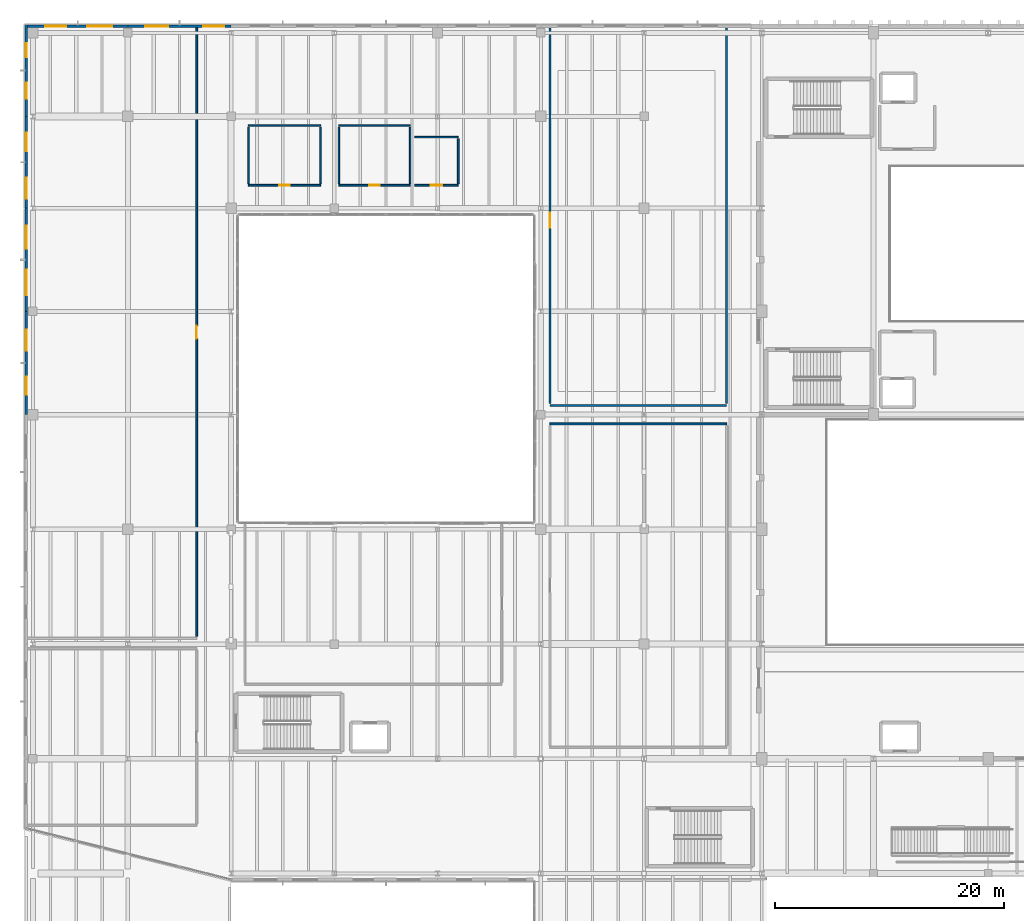
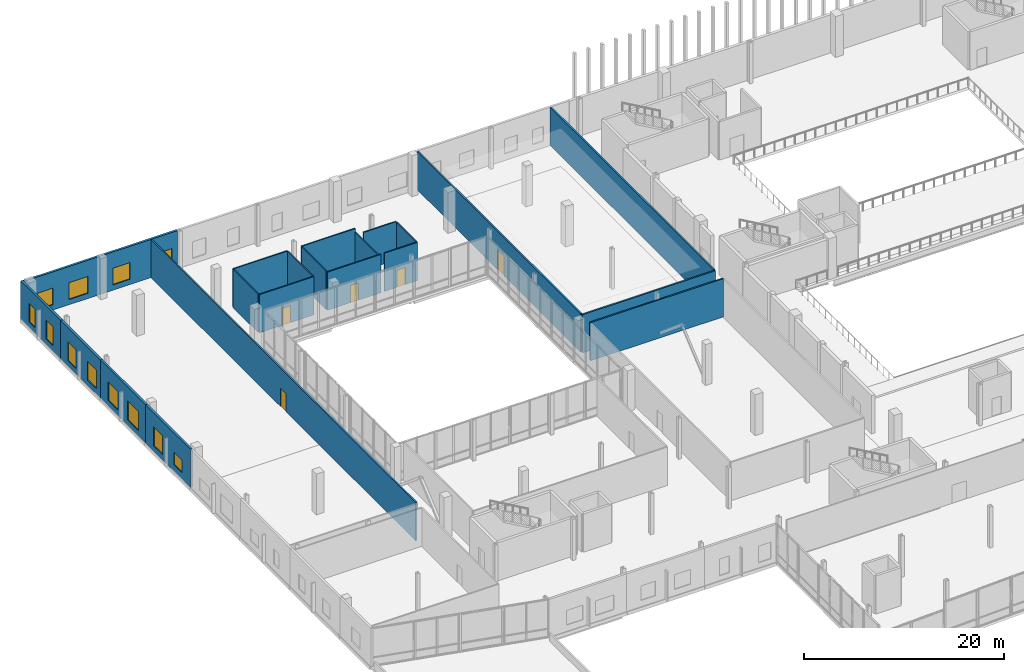
# One storey, part 61 of 81: 22 walls, 12 windows, 5 doors, 17 openings.
"""IFC4 building model written with IfcOpenShell, lengths in metres."""

from ifc_helpers import new_model, si_unit, direction, frame, frame_2d, origin, place, context, subcontext, project, spatial, rectangle, extrude, material, layer, layer_set, type_object, element, fill, save


model = new_model("IFC4")

# Units and contexts
model_context = context("Model", 3, precision=1e-05, world=origin(), true_north=direction((0.0, 1.0)))
body_context = subcontext(model_context, "Body", "Model", "MODEL_VIEW")
ifc_project = project(units=[si_unit("LENGTHUNIT", "METRE"), si_unit("AREAUNIT", "SQUARE_METRE"), si_unit("VOLUMEUNIT", "CUBIC_METRE"), si_unit("PLANEANGLEUNIT", "RADIAN"), si_unit("MASSUNIT", "GRAM", prefix="KILO")], contexts=[model_context])

# Site, building, storey
site_placement = place(None, origin())
site = spatial("IfcSite", under=ifc_project, at=site_placement, CompositionType="ELEMENT")
building_placement = place(site_placement, origin())
building = spatial("IfcBuilding", under=site, at=building_placement, Name="Trimount Lyric Opera House", CompositionType="ELEMENT")
storey_placement = place(building_placement, frame((0.0, 0.0, 5.0)))
storey = spatial("IfcBuildingStorey", under=building, at=storey_placement, Name="L01", CompositionType="ELEMENT", Elevation=5.0)

# Wall, opening, door
ifc_material_1 = material(Name="Moisture-Resistant Gypsum Board")
ifc_layer_1 = layer(ifc_material_1, 0.135009765625)
ifc_layer_set_1 = layer_set([ifc_layer_1], Name="WL-PT135")
wall_type_1 = type_object("IfcWallType", Name="WL-PT135", PredefinedType="PARTITIONING", material=ifc_layer_set_1)
wall_1_placement = place(storey_placement, frame((19.5, 104.0, 0.0), z_axis=(0.0, 0.0, 1.0), x_axis=(1.0, 0.0, 0.0)))
wall_1 = element("IfcWall", 1, at=wall_1_placement, inside=storey, type_object=wall_type_1, Name="L01 L01 Male Restroom S partition", PredefinedType="PARTITIONING", context=body_context, shape_type="SweptSolid", body=[
    extrude(rectangle(XDim=6.300048828125, YDim=0.135009765625, at=frame_2d((3.14990234375, 0.0))), origin(), (0.0, 0.0, 1.0), 4.679931640625),
])
opening_1_placement = place(wall_1_placement, frame((2.68994140625, 0.0, 0.0)))
opening_1 = element("IfcOpeningElement", 2, at=opening_1_placement, cuts=wall_1, Name="Opening DT-WC1", PredefinedType="OPENING", context=body_context, shape_type="SweptSolid", body=[
    extrude(rectangle(XDim=0.919921875, YDim=2.10009765625, at=frame_2d((0.4599609375, 1.050048828125))), frame((0.0, 0.07763671875, 0.0), z_axis=(0.0, -1.0, 0.0), x_axis=(1.0, 0.0, 0.0)), (0.0, 0.0, 1.0), 0.155029296875),
])
ifc_material_2 = material(Name="Moisture-Resistant Solid-Core Laminate")
door_type_1 = type_object("IfcDoorType", Name="DT-WC1", OperationType="NOTDEFINED", PredefinedType="DOOR", material=ifc_material_2)
door_1_placement = place(opening_1_placement, origin())
door_1 = element("IfcDoor", 3, at=door_1_placement, inside=storey, type_object=door_type_1, Name="D-207", OperationType="SINGLE_SWING_LEFT", OverallHeight=2.10009765625, OverallWidth=0.919921875, PredefinedType="DOOR", context=body_context, shape_type="SweptSolid", body=[
    extrude(rectangle(XDim=0.919921875, YDim=2.10009765625, at=frame_2d((0.4599609375, 1.050048828125))), frame((0.0, 0.02490234375, 0.0), z_axis=(0.0, -1.0, 0.0), x_axis=(1.0, 0.0, 0.0)), (0.0, 0.0, 1.0), 0.050048828125),
])
fill(opening_1, door_1)

# Walls
wall_2_placement = place(storey_placement, frame((25.800048828125, 109.199951171875, 0.0), z_axis=(0.0, 0.0, 1.0), x_axis=(-1.0, 0.0, 0.0)))
element("IfcWall", 4, at=wall_2_placement, inside=storey, type_object=wall_type_1, Name="L01 L01 Male Restroom N partition", PredefinedType="PARTITIONING", context=body_context, shape_type="SweptSolid", body=[
    extrude(rectangle(XDim=6.300048828125, YDim=0.135009765625, at=frame_2d((3.14990234375, 0.0))), origin(), (0.0, 0.0, 1.0), 4.679931640625),
])
for number, where, z_axis, x_axis, name in (
    (5, (19.5, 109.06494140625, 0.0), (0.0, 0.0, 1.0), (0.0, -1.0, 0.0), "L01 L01 Male Restroom W partition"),
    (6, (25.800048828125, 104.135009765625, 0.0), (0.0, 0.0, 1.0), (0.0, 1.0, 0.0), "L01 L01 Male Restroom E partition"),
):
    element("IfcWall", number, at=place(storey_placement, frame(where, z_axis=z_axis, x_axis=x_axis)), inside=storey, type_object=wall_type_1, Name=name, PredefinedType="PARTITIONING", context=body_context, shape_type="SweptSolid", body=[
        extrude(rectangle(XDim=4.929931640625, YDim=0.135009765625, at=frame_2d((2.46484375, 0.0))), origin(), (0.0, 0.0, 1.0), 4.679931640625),
    ])

# Wall, opening, door
wall_3_placement = place(storey_placement, frame((27.39990234375, 104.0, 0.0), z_axis=(0.0, 0.0, 1.0), x_axis=(1.0, 0.0, 0.0)))
wall_3 = element("IfcWall", 7, at=wall_3_placement, inside=storey, type_object=wall_type_1, Name="L01 L01 Female Restroom S partition", PredefinedType="PARTITIONING", context=body_context, shape_type="SweptSolid", body=[
    extrude(rectangle(XDim=6.2001953125, YDim=0.135009765625, at=frame_2d((3.10009765625, 0.0))), origin(), (0.0, 0.0, 1.0), 4.679931640625),
])
opening_2_placement = place(wall_3_placement, frame((2.639892578125, 0.0, 0.0)))
opening_2 = element("IfcOpeningElement", 8, at=opening_2_placement, cuts=wall_3, Name="Opening DT-WC1", PredefinedType="OPENING", context=body_context, shape_type="SweptSolid", body=[
    extrude(rectangle(XDim=0.919921875, YDim=2.10009765625, at=frame_2d((0.4599609375, 1.050048828125))), frame((0.0, 0.07763671875, 0.0), z_axis=(0.0, -1.0, 0.0), x_axis=(1.0, 0.0, 0.0)), (0.0, 0.0, 1.0), 0.155029296875),
])
door_2_placement = place(opening_2_placement, origin())
door_2 = element("IfcDoor", 9, at=door_2_placement, inside=storey, type_object=door_type_1, Name="D-208", OperationType="SINGLE_SWING_RIGHT", OverallHeight=2.10009765625, OverallWidth=0.919921875, PredefinedType="DOOR", context=body_context, shape_type="SweptSolid", body=[
    extrude(rectangle(XDim=0.919921875, YDim=2.10009765625, at=frame_2d((0.4599609375, 1.050048828125))), frame((0.0, 0.02490234375, 0.0), z_axis=(0.0, -1.0, 0.0), x_axis=(1.0, 0.0, 0.0)), (0.0, 0.0, 1.0), 0.050048828125),
])
fill(opening_2, door_2)

# Walls
wall_4_placement = place(storey_placement, frame((33.60009765625, 109.199951171875, 0.0), z_axis=(0.0, 0.0, 1.0), x_axis=(-1.0, 0.0, 0.0)))
element("IfcWall", 10, at=wall_4_placement, inside=storey, type_object=wall_type_1, Name="L01 L01 Female Restroom N partition", PredefinedType="PARTITIONING", context=body_context, shape_type="SweptSolid", body=[
    extrude(rectangle(XDim=6.2001953125, YDim=0.135009765625, at=frame_2d((3.10009765625, 0.0))), origin(), (0.0, 0.0, 1.0), 4.679931640625),
])
wall_5_placement = place(storey_placement, frame((27.39990234375, 109.06494140625, 0.0), z_axis=(0.0, 0.0, 1.0), x_axis=(0.0, -1.0, 0.0)))
element("IfcWall", 11, at=wall_5_placement, inside=storey, type_object=wall_type_1, Name="L01 L01 Female Restroom W partition", PredefinedType="PARTITIONING", context=body_context, shape_type="SweptSolid", body=[
    extrude(rectangle(XDim=4.929931640625, YDim=0.135009765625, at=frame_2d((2.46484375, 0.0))), origin(), (0.0, 0.0, 1.0), 4.679931640625),
])
wall_6_placement = place(storey_placement, frame((33.60009765625, 104.135009765625, 0.0), z_axis=(0.0, 0.0, 1.0), x_axis=(0.0, 1.0, 0.0)))
element("IfcWall", 12, at=wall_6_placement, inside=storey, type_object=wall_type_1, Name="L01 L01 Female Restroom E partition", PredefinedType="PARTITIONING", context=body_context, shape_type="SweptSolid", body=[
    extrude(rectangle(XDim=4.929931640625, YDim=0.135009765625, at=frame_2d((2.46484375, 0.0))), origin(), (0.0, 0.0, 1.0), 4.305908203125),
])

# Wall, opening, door
wall_7_placement = place(storey_placement, frame((34.0, 104.0, 0.0), z_axis=(0.0, 0.0, 1.0), x_axis=(1.0, 0.0, 0.0)))
wall_7 = element("IfcWall", 13, at=wall_7_placement, inside=storey, type_object=wall_type_1, Name="L01 L01 Accessible WC S partition", PredefinedType="PARTITIONING", context=body_context, shape_type="SweptSolid", body=[
    extrude(rectangle(XDim=3.800048828125, YDim=0.135009765625, at=frame_2d((1.89990234375, 0.0))), origin(), (0.0, 0.0, 1.0), 4.679931640625),
])
opening_3_placement = place(wall_7_placement, frame((1.409912109375, 0.0, 0.0)))
opening_3 = element("IfcOpeningElement", 14, at=opening_3_placement, cuts=wall_7, Name="Opening DT-WC2", PredefinedType="OPENING", context=body_context, shape_type="SweptSolid", body=[
    extrude(rectangle(XDim=0.97998046875, YDim=2.10009765625, at=frame_2d((0.489990234375, 1.050048828125))), frame((0.0, 0.07763671875, 0.0), z_axis=(0.0, -1.0, 0.0), x_axis=(1.0, 0.0, 0.0)), (0.0, 0.0, 1.0), 0.155029296875),
])
ifc_material_3 = material(Name="Moisture-Resistant Solid-Core Laminate")
door_type_2 = type_object("IfcDoorType", Name="DT-WC2", OperationType="NOTDEFINED", PredefinedType="DOOR", material=ifc_material_3)
door_3_placement = place(opening_3_placement, origin())
door_3 = element("IfcDoor", 15, at=door_3_placement, inside=storey, type_object=door_type_2, Name="D-209", OperationType="SINGLE_SWING_LEFT", OverallHeight=2.10009765625, OverallWidth=0.97998046875, PredefinedType="DOOR", context=body_context, shape_type="SweptSolid", body=[
    extrude(rectangle(XDim=0.97998046875, YDim=2.10009765625, at=frame_2d((0.489990234375, 1.050048828125))), frame((0.0, 0.02490234375, 0.0), z_axis=(0.0, -1.0, 0.0), x_axis=(1.0, 0.0, 0.0)), (0.0, 0.0, 1.0), 0.050048828125),
])
fill(opening_3, door_3)

# Walls
wall_8_placement = place(storey_placement, frame((37.800048828125, 108.199951171875, 0.0), z_axis=(0.0, 0.0, 1.0), x_axis=(-1.0, 0.0, 0.0)))
element("IfcWall", 16, at=wall_8_placement, inside=storey, type_object=wall_type_1, Name="L01 L01 Accessible WC N partition", PredefinedType="PARTITIONING", context=body_context, shape_type="SweptSolid", body=[
    extrude(rectangle(XDim=3.800048828125, YDim=0.135009765625, at=frame_2d((1.89990234375, 0.0))), origin(), (0.0, 0.0, 1.0), 4.679931640625),
])
wall_9_placement = place(storey_placement, frame((37.800048828125, 104.135009765625, 0.0), z_axis=(0.0, 0.0, 1.0), x_axis=(0.0, 1.0, 0.0)))
element("IfcWall", 17, at=wall_9_placement, inside=storey, type_object=wall_type_1, Name="L01 L01 Accessible WC E partition", PredefinedType="PARTITIONING", context=body_context, shape_type="SweptSolid", body=[
    extrude(rectangle(XDim=3.929931640625, YDim=0.135009765625, at=frame_2d((1.96484375, 0.0))), origin(), (0.0, 0.0, 1.0), 4.679931640625),
])

# Wall, opening, door
ifc_material_4 = material(Name="Acoustic Double-Stud Gypsum Board")
ifc_layer_2 = layer(ifc_material_4, 0.1650390625)
ifc_layer_set_2 = layer_set([ifc_layer_2], Name="WL-PT165")
wall_type_2 = type_object("IfcWallType", Name="WL-PT165", PredefinedType="PARTITIONING", material=ifc_layer_set_2)
wall_10_placement = place(storey_placement, frame((15.0, 64.6650390625, 0.0), z_axis=(0.0, 0.0, 1.0), x_axis=(0.0, 1.0, 0.0)))
wall_10 = element("IfcWall", 18, at=wall_10_placement, inside=storey, type_object=wall_type_2, Name="L01 Vocal & Repetiteur Studios E partition", PredefinedType="PARTITIONING", context=body_context, shape_type="SweptSolid", body=[
    extrude(rectangle(XDim=53.054931640625, YDim=0.1650390625, at=frame_2d((26.52734375, 0.0))), origin(), (0.0, 0.0, 1.0), 4.679931640625),
])
opening_4_placement = place(wall_10_placement, frame((25.967529296875, 0.0, 0.0)))
opening_4 = element("IfcOpeningElement", 19, at=opening_4_placement, cuts=wall_10, Name="Opening DT-AC2", PredefinedType="OPENING", context=body_context, shape_type="SweptSolid", body=[
    extrude(rectangle(XDim=1.1201171875, YDim=2.25, at=frame_2d((0.56005859375, 1.125))), frame((0.0, 0.092529296875, 0.0), z_axis=(0.0, -1.0, 0.0), x_axis=(1.0, 0.0, 0.0)), (0.0, 0.0, 1.0), 0.18505859375),
])
ifc_material_5 = material(Name="Acoustic Steel-Core Timber", Category="steel")
door_type_3 = type_object("IfcDoorType", Name="DT-AC2", OperationType="NOTDEFINED", PredefinedType="DOOR", material=ifc_material_5)
door_4_placement = place(opening_4_placement, origin())
door_4 = element("IfcDoor", 20, at=door_4_placement, inside=storey, type_object=door_type_3, Name="D-197", OperationType="SINGLE_SWING_RIGHT", OverallHeight=2.25, OverallWidth=1.1201171875, PredefinedType="DOOR", context=body_context, shape_type="SweptSolid", body=[
    extrude(rectangle(XDim=1.1201171875, YDim=2.25, at=frame_2d((0.56005859375, 1.125))), frame((0.0, 0.02490234375, 0.0), z_axis=(0.0, -1.0, 0.0), x_axis=(1.0, 0.0, 0.0)), (0.0, 0.0, 1.0), 0.050048828125),
])
fill(opening_4, door_4)

# Walls
wall_11_placement = place(storey_placement, frame((61.199951171875, 83.199951171875, 0.0), z_axis=(0.0, 0.0, 1.0), x_axis=(-1.0, 0.0, 0.0)))
element("IfcWall", 21, at=wall_11_placement, inside=storey, type_object=wall_type_2, Name="L01 Chorus Sectional Rehearsal Studio N partition", PredefinedType="PARTITIONING", context=body_context, shape_type="SweptSolid", body=[
    extrude(rectangle(XDim=15.39990234375, YDim=0.1650390625, at=frame_2d((7.699951171875, 0.0))), origin(), (0.0, 0.0, 1.0), 4.679931640625),
])
ifc_material_6 = material(Name="Acoustic Double-Stud Gypsum Board")
ifc_layer_3 = layer(ifc_material_6, 0.179931640625)
ifc_layer_set_3 = layer_set([ifc_layer_3], Name="WL-PT180")
wall_type_3 = type_object("IfcWallType", Name="WL-PT180", PredefinedType="PARTITIONING", material=ifc_layer_set_3)
wall_12_placement = place(storey_placement, frame((45.800048828125, 84.800048828125, 0.0), z_axis=(0.0, 0.0, 1.0), x_axis=(1.0, 0.0, 0.0)))
element("IfcWall", 22, at=wall_12_placement, inside=storey, type_object=wall_type_3, Name="L01 Ballet Rehearsal Studio S partition", PredefinedType="PARTITIONING", context=body_context, shape_type="SweptSolid", body=[
    extrude(rectangle(XDim=15.39990234375, YDim=0.179931640625, at=frame_2d((7.699951171875, 0.0))), origin(), (0.0, 0.0, 1.0), 4.679931640625),
])

# Wall, opening, door
wall_13_placement = place(storey_placement, frame((45.800048828125, 117.719970703125, 0.0), z_axis=(0.0, 0.0, 1.0), x_axis=(0.0, -1.0, 0.0)))
wall_13 = element("IfcWall", 23, at=wall_13_placement, inside=storey, type_object=wall_type_3, Name="L01 Ballet Rehearsal Studio W partition", PredefinedType="PARTITIONING", context=body_context, shape_type="SweptSolid", body=[
    extrude(rectangle(XDim=32.739990234375, YDim=0.179931640625, at=frame_2d((16.3701171875, 0.0))), origin(), (0.0, 0.0, 1.0), 4.679931640625),
])
opening_5_placement = place(wall_13_placement, frame((16.1201171875, 0.0, 0.0)))
opening_5 = element("IfcOpeningElement", 24, at=opening_5_placement, cuts=wall_13, Name="Opening DT-AC1", PredefinedType="OPENING", context=body_context, shape_type="SweptSolid", body=[
    extrude(rectangle(XDim=1.300048828125, YDim=2.35009765625, at=frame_2d((0.64990234375, 1.175048828125))), frame((0.0, 0.10009765625, 0.0), z_axis=(0.0, -1.0, 0.0), x_axis=(1.0, 0.0, 0.0)), (0.0, 0.0, 1.0), 0.199951171875),
])
ifc_material_7 = material(Name="Acoustic Steel-Core Timber", Category="steel")
door_type_4 = type_object("IfcDoorType", Name="DT-AC1", OperationType="NOTDEFINED", PredefinedType="DOOR", material=ifc_material_7)
door_5_placement = place(opening_5_placement, origin())
door_5 = element("IfcDoor", 25, at=door_5_placement, inside=storey, type_object=door_type_4, Name="D-201", OperationType="SINGLE_SWING_RIGHT", OverallHeight=2.35009765625, OverallWidth=1.300048828125, PredefinedType="DOOR", context=body_context, shape_type="SweptSolid", body=[
    extrude(rectangle(XDim=1.300048828125, YDim=2.35009765625, at=frame_2d((0.64990234375, 1.175048828125))), frame((0.0, 0.02490234375, 0.0), z_axis=(0.0, -1.0, 0.0), x_axis=(1.0, 0.0, 0.0)), (0.0, 0.0, 1.0), 0.050048828125),
])
fill(opening_5, door_5)

# Wall
wall_14_placement = place(storey_placement, frame((61.199951171875, 84.97998046875, 0.0), z_axis=(0.0, 0.0, 1.0), x_axis=(0.0, 1.0, 0.0)))
element("IfcWall", 26, at=wall_14_placement, inside=storey, type_object=wall_type_3, Name="L01 Ballet Rehearsal Studio E partition", PredefinedType="PARTITIONING", context=body_context, shape_type="SweptSolid", body=[
    extrude(rectangle(XDim=32.739990234375, YDim=0.179931640625, at=frame_2d((16.3701171875, 0.0))), origin(), (0.0, 0.0, 1.0), 4.679931640625),
])

# Wall, openings, windows
ifc_material_8 = material(Name="Concrete C35/45", Category="concrete")
ifc_layer_4 = layer(ifc_material_8, 0.25)
ifc_layer_set_4 = layer_set([ifc_layer_4], Name="WL-SW250")
wall_type_4 = type_object("IfcWallType", Name="WL-SW250", PredefinedType="SOLIDWALL", material=ifc_layer_set_4)
wall_15_placement = place(storey_placement, frame((0.139892578125, 84.0, 0.0), z_axis=(0.0, 0.0, 1.0), x_axis=(0.0, 1.0, 0.0)))
wall_15 = element("IfcWall", 27, at=wall_15_placement, inside=storey, type_object=wall_type_4, Name="L01 exterior facade wall 161", PredefinedType="SOLIDWALL", context=body_context, shape_type="SweptSolid", body=[
    extrude(rectangle(XDim=9.0, YDim=0.25, at=frame_2d((4.5, 0.0))), origin(), (0.0, 0.0, 1.0), 4.679931640625),
])
opening_6_placement = place(wall_15_placement, frame((1.719970703125, 0.0, 0.800048828125)))
opening_6 = element("IfcOpeningElement", 28, at=opening_6_placement, cuts=wall_15, Name="Opening WT-26", PredefinedType="OPENING", context=body_context, shape_type="SweptSolid", body=[
    extrude(rectangle(XDim=1.60009765625, YDim=1.5, at=frame_2d((0.800048828125, 0.75))), frame((0.0, 0.135009765625, 0.0), z_axis=(0.0, -1.0, 0.0), x_axis=(1.0, 0.0, 0.0)), (0.0, 0.0, 1.0), 0.27001953125),
])
opening_7_placement = place(wall_15_placement, frame((5.580078125, 0.0, 0.64990234375)))
opening_7 = element("IfcOpeningElement", 29, at=opening_7_placement, cuts=wall_15, Name="Opening WT-04", PredefinedType="OPENING", context=body_context, shape_type="SweptSolid", body=[
    extrude(rectangle(XDim=1.800048828125, YDim=2.300048828125, at=frame_2d((0.89990234375, 1.14990234375))), frame((0.0, 0.135009765625, 0.0), z_axis=(0.0, -1.0, 0.0), x_axis=(1.0, 0.0, 0.0)), (0.0, 0.0, 1.0), 0.27001953125),
])
ifc_material_9 = material(Name="Triple Acoustic Glazing in Aluminium Frame", Category="aluminium")
window_type_1 = type_object("IfcWindowType", Name="WT-04", PartitioningType="DOUBLE_PANEL_VERTICAL", PredefinedType="WINDOW", material=ifc_material_9)
window_1_placement = place(opening_7_placement, origin())
window_1 = element("IfcWindow", 30, at=window_1_placement, inside=storey, type_object=window_type_1, Name="Window WT-04-0079", OverallHeight=2.300048828125, OverallWidth=1.800048828125, PartitioningType="SINGLE_PANEL", PredefinedType="WINDOW", context=body_context, shape_type="SweptSolid", body=[
    extrude(rectangle(XDim=1.800048828125, YDim=2.300048828125, at=frame_2d((0.89990234375, 1.14990234375))), frame((0.0, 0.030029296875, 0.0), z_axis=(0.0, -1.0, 0.0), x_axis=(1.0, 0.0, 0.0)), (0.0, 0.0, 1.0), 0.06005859375),
])
fill(opening_7, window_1)
ifc_material_10 = material(Name="Clerestory Ribbon Glazing", Category="glass")
window_type_2 = type_object("IfcWindowType", Name="WT-26", PartitioningType="SINGLE_PANEL", PredefinedType="WINDOW", material=ifc_material_10)
window_2_placement = place(opening_6_placement, origin())
window_2 = element("IfcWindow", 31, at=window_2_placement, inside=storey, type_object=window_type_2, Name="Window WT-26-0078", OverallHeight=1.5, OverallWidth=1.60009765625, PartitioningType="SINGLE_PANEL", PredefinedType="WINDOW", context=body_context, shape_type="SweptSolid", body=[
    extrude(rectangle(XDim=1.60009765625, YDim=1.5, at=frame_2d((0.800048828125, 0.75))), frame((0.0, 0.030029296875, 0.0), z_axis=(0.0, -1.0, 0.0), x_axis=(1.0, 0.0, 0.0)), (0.0, 0.0, 1.0), 0.06005859375),
])
fill(opening_6, window_2)

wall_16_placement = place(storey_placement, frame((0.139892578125, 93.0, 0.0), z_axis=(0.0, 0.0, 1.0), x_axis=(0.0, 1.0, 0.0)))
wall_16 = element("IfcWall", 32, at=wall_16_placement, inside=storey, type_object=wall_type_4, Name="L01 exterior facade wall 162", PredefinedType="SOLIDWALL", context=body_context, shape_type="SweptSolid", body=[
    extrude(rectangle(XDim=9.0, YDim=0.25, at=frame_2d((4.5, 0.0))), origin(), (0.0, 0.0, 1.0), 4.679931640625),
])
opening_8_placement = place(wall_16_placement, frame((1.419921875, 0.0, 0.64990234375)))
opening_8 = element("IfcOpeningElement", 33, at=opening_8_placement, cuts=wall_16, Name="Opening WT-02", PredefinedType="OPENING", context=body_context, shape_type="SweptSolid", body=[
    extrude(rectangle(XDim=2.199951171875, YDim=2.300048828125, at=frame_2d((1.10009765625, 1.14990234375))), frame((0.0, 0.135009765625, 0.0), z_axis=(0.0, -1.0, 0.0), x_axis=(1.0, 0.0, 0.0)), (0.0, 0.0, 1.0), 0.27001953125),
])
opening_9_placement = place(wall_16_placement, frame((5.47998046875, 0.0, 0.64990234375)))
opening_9 = element("IfcOpeningElement", 34, at=opening_9_placement, cuts=wall_16, Name="Opening WT-03", PredefinedType="OPENING", context=body_context, shape_type="SweptSolid", body=[
    extrude(rectangle(XDim=2.0, YDim=2.300048828125, at=frame_2d((1.0, 1.14990234375))), frame((0.0, 0.135009765625, 0.0), z_axis=(0.0, -1.0, 0.0), x_axis=(1.0, 0.0, 0.0)), (0.0, 0.0, 1.0), 0.27001953125),
])
ifc_material_11 = material(Name="Triple Acoustic Glazing in Aluminium Frame", Category="aluminium")
window_type_3 = type_object("IfcWindowType", Name="WT-02", PartitioningType="DOUBLE_PANEL_VERTICAL", PredefinedType="WINDOW", material=ifc_material_11)
window_3_placement = place(opening_8_placement, origin())
window_3 = element("IfcWindow", 35, at=window_3_placement, inside=storey, type_object=window_type_3, Name="Window WT-02-0080", OverallHeight=2.300048828125, OverallWidth=2.199951171875, PartitioningType="SINGLE_PANEL", PredefinedType="WINDOW", context=body_context, shape_type="SweptSolid", body=[
    extrude(rectangle(XDim=2.199951171875, YDim=2.300048828125, at=frame_2d((1.10009765625, 1.14990234375))), frame((0.0, 0.030029296875, 0.0), z_axis=(0.0, -1.0, 0.0), x_axis=(1.0, 0.0, 0.0)), (0.0, 0.0, 1.0), 0.06005859375),
])
fill(opening_8, window_3)
ifc_material_12 = material(Name="Triple Acoustic Glazing in Aluminium Frame", Category="aluminium")
window_type_4 = type_object("IfcWindowType", Name="WT-03", PartitioningType="DOUBLE_PANEL_VERTICAL", PredefinedType="WINDOW", material=ifc_material_12)
window_4_placement = place(opening_9_placement, origin())
window_4 = element("IfcWindow", 36, at=window_4_placement, inside=storey, type_object=window_type_4, Name="Window WT-03-0081", OverallHeight=2.300048828125, OverallWidth=2.0, PartitioningType="SINGLE_PANEL", PredefinedType="WINDOW", context=body_context, shape_type="SweptSolid", body=[
    extrude(rectangle(XDim=2.0, YDim=2.300048828125, at=frame_2d((1.0, 1.14990234375))), frame((0.0, 0.030029296875, 0.0), z_axis=(0.0, -1.0, 0.0), x_axis=(1.0, 0.0, 0.0)), (0.0, 0.0, 1.0), 0.06005859375),
])
fill(opening_9, window_4)

wall_17_placement = place(storey_placement, frame((0.139892578125, 102.0, 0.0), z_axis=(0.0, 0.0, 1.0), x_axis=(0.0, 1.0, 0.0)))
wall_17 = element("IfcWall", 37, at=wall_17_placement, inside=storey, type_object=wall_type_4, Name="L01 exterior facade wall 163", PredefinedType="SOLIDWALL", context=body_context, shape_type="SweptSolid", body=[
    extrude(rectangle(XDim=8.0, YDim=0.25, at=frame_2d((4.0, 0.0))), origin(), (0.0, 0.0, 1.0), 4.679931640625),
])
opening_10_placement = place(wall_17_placement, frame((0.840087890625, 0.0, 0.64990234375)))
opening_10 = element("IfcOpeningElement", 38, at=opening_10_placement, cuts=wall_17, Name="Opening WT-04", PredefinedType="OPENING", context=body_context, shape_type="SweptSolid", body=[
    extrude(rectangle(XDim=1.800048828125, YDim=2.300048828125, at=frame_2d((0.89990234375, 1.14990234375))), frame((0.0, 0.135009765625, 0.0), z_axis=(0.0, -1.0, 0.0), x_axis=(1.0, 0.0, 0.0)), (0.0, 0.0, 1.0), 0.27001953125),
])
opening_11_placement = place(wall_17_placement, frame((4.9599609375, 0.0, 0.64990234375)))
opening_11 = element("IfcOpeningElement", 39, at=opening_11_placement, cuts=wall_17, Name="Opening WT-05", PredefinedType="OPENING", context=body_context, shape_type="SweptSolid", body=[
    extrude(rectangle(XDim=1.60009765625, YDim=2.300048828125, at=frame_2d((0.800048828125, 1.14990234375))), frame((0.0, 0.135009765625, 0.0), z_axis=(0.0, -1.0, 0.0), x_axis=(1.0, 0.0, 0.0)), (0.0, 0.0, 1.0), 0.27001953125),
])
window_5_placement = place(opening_10_placement, origin())
window_5 = element("IfcWindow", 40, at=window_5_placement, inside=storey, type_object=window_type_1, Name="Window WT-04-0082", OverallHeight=2.300048828125, OverallWidth=1.800048828125, PartitioningType="SINGLE_PANEL", PredefinedType="WINDOW", context=body_context, shape_type="SweptSolid", body=[
    extrude(rectangle(XDim=1.800048828125, YDim=2.300048828125, at=frame_2d((0.89990234375, 1.14990234375))), frame((0.0, 0.030029296875, 0.0), z_axis=(0.0, -1.0, 0.0), x_axis=(1.0, 0.0, 0.0)), (0.0, 0.0, 1.0), 0.06005859375),
])
fill(opening_10, window_5)
ifc_material_13 = material(Name="Triple Acoustic Glazing in Aluminium Frame", Category="aluminium")
window_type_5 = type_object("IfcWindowType", Name="WT-05", PartitioningType="SINGLE_PANEL", PredefinedType="WINDOW", material=ifc_material_13)
window_6_placement = place(opening_11_placement, origin())
window_6 = element("IfcWindow", 41, at=window_6_placement, inside=storey, type_object=window_type_5, Name="Window WT-05-0083", OverallHeight=2.300048828125, OverallWidth=1.60009765625, PartitioningType="SINGLE_PANEL", PredefinedType="WINDOW", context=body_context, shape_type="SweptSolid", body=[
    extrude(rectangle(XDim=1.60009765625, YDim=2.300048828125, at=frame_2d((0.800048828125, 1.14990234375))), frame((0.0, 0.030029296875, 0.0), z_axis=(0.0, -1.0, 0.0), x_axis=(1.0, 0.0, 0.0)), (0.0, 0.0, 1.0), 0.06005859375),
])
fill(opening_11, window_6)

wall_18_placement = place(storey_placement, frame((0.139892578125, 110.0, 0.0), z_axis=(0.0, 0.0, 1.0), x_axis=(0.0, 1.0, 0.0)))
wall_18 = element("IfcWall", 42, at=wall_18_placement, inside=storey, type_object=wall_type_4, Name="L01 exterior facade wall 164", PredefinedType="SOLIDWALL", context=body_context, shape_type="SweptSolid", body=[
    extrude(rectangle(XDim=8.0, YDim=0.25, at=frame_2d((4.0, 0.0))), origin(), (0.0, 0.0, 1.0), 4.679931640625),
])
opening_12_placement = place(wall_18_placement, frame((1.5400390625, 0.0, 0.64990234375)))
opening_12 = element("IfcOpeningElement", 43, at=opening_12_placement, cuts=wall_18, Name="Opening WT-06", PredefinedType="OPENING", context=body_context, shape_type="SweptSolid", body=[
    extrude(rectangle(XDim=1.39990234375, YDim=2.300048828125, at=frame_2d((0.699951171875, 1.14990234375))), frame((0.0, 0.135009765625, 0.0), z_axis=(0.0, -1.0, 0.0), x_axis=(1.0, 0.0, 0.0)), (0.0, 0.0, 1.0), 0.27001953125),
])
opening_13_placement = place(wall_18_placement, frame((5.159912109375, 0.0, 0.64990234375)))
opening_13 = element("IfcOpeningElement", 44, at=opening_13_placement, cuts=wall_18, Name="Opening WT-07", PredefinedType="OPENING", context=body_context, shape_type="SweptSolid", body=[
    extrude(rectangle(XDim=1.199951171875, YDim=2.300048828125, at=frame_2d((0.60009765625, 1.14990234375))), frame((0.0, 0.135009765625, 0.0), z_axis=(0.0, -1.0, 0.0), x_axis=(1.0, 0.0, 0.0)), (0.0, 0.0, 1.0), 0.27001953125),
])
ifc_material_14 = material(Name="Triple Acoustic Glazing in Aluminium Frame", Category="aluminium")
window_type_6 = type_object("IfcWindowType", Name="WT-06", PartitioningType="SINGLE_PANEL", PredefinedType="WINDOW", material=ifc_material_14)
window_7_placement = place(opening_12_placement, origin())
window_7 = element("IfcWindow", 45, at=window_7_placement, inside=storey, type_object=window_type_6, Name="Window WT-06-0084", OverallHeight=2.300048828125, OverallWidth=1.39990234375, PartitioningType="SINGLE_PANEL", PredefinedType="WINDOW", context=body_context, shape_type="SweptSolid", body=[
    extrude(rectangle(XDim=1.39990234375, YDim=2.300048828125, at=frame_2d((0.699951171875, 1.14990234375))), frame((0.0, 0.030029296875, 0.0), z_axis=(0.0, -1.0, 0.0), x_axis=(1.0, 0.0, 0.0)), (0.0, 0.0, 1.0), 0.06005859375),
])
fill(opening_12, window_7)
ifc_material_15 = material(Name="Triple Acoustic Glazing in Aluminium Frame", Category="aluminium")
window_type_7 = type_object("IfcWindowType", Name="WT-07", PartitioningType="SINGLE_PANEL", PredefinedType="WINDOW", material=ifc_material_15)
window_8_placement = place(opening_13_placement, origin())
window_8 = element("IfcWindow", 46, at=window_8_placement, inside=storey, type_object=window_type_7, Name="Window WT-07-0085", OverallHeight=2.300048828125, OverallWidth=1.199951171875, PartitioningType="SINGLE_PANEL", PredefinedType="WINDOW", context=body_context, shape_type="SweptSolid", body=[
    extrude(rectangle(XDim=1.199951171875, YDim=2.300048828125, at=frame_2d((0.60009765625, 1.14990234375))), frame((0.0, 0.030029296875, 0.0), z_axis=(0.0, -1.0, 0.0), x_axis=(1.0, 0.0, 0.0)), (0.0, 0.0, 1.0), 0.06005859375),
])
fill(opening_13, window_8)

wall_19_placement = place(storey_placement, frame((0.27001953125, 117.860107421875, 0.0), z_axis=(0.0, 0.0, 1.0), x_axis=(1.0, 0.0, 0.0)))
wall_19 = element("IfcWall", 47, at=wall_19_placement, inside=storey, type_object=wall_type_4, Name="L01 exterior facade wall 165", PredefinedType="SOLIDWALL", context=body_context, shape_type="SweptSolid", body=[
    extrude(rectangle(XDim=8.72998046875, YDim=0.25, at=frame_2d((4.364990234375, 0.0))), origin(), (0.0, 0.0, 1.0), 4.679931640625),
])
opening_14_placement = place(wall_19_placement, frame((1.54443359375, 0.0, 0.64990234375)))
opening_14 = element("IfcOpeningElement", 48, at=opening_14_placement, cuts=wall_19, Name="Opening WT-11", PredefinedType="OPENING", context=body_context, shape_type="SweptSolid", body=[
    extrude(rectangle(XDim=1.800048828125, YDim=2.050048828125, at=frame_2d((0.89990234375, 1.02490234375))), frame((0.0, 0.135009765625, 0.0), z_axis=(0.0, -1.0, 0.0), x_axis=(1.0, 0.0, 0.0)), (0.0, 0.0, 1.0), 0.27001953125),
])
opening_15_placement = place(wall_19_placement, frame((5.185546875, 0.0, 0.64990234375)))
opening_15 = element("IfcOpeningElement", 49, at=opening_15_placement, cuts=wall_19, Name="Opening WT-09", PredefinedType="OPENING", context=body_context, shape_type="SweptSolid", body=[
    extrude(rectangle(XDim=2.199951171875, YDim=2.050048828125, at=frame_2d((1.10009765625, 1.02490234375))), frame((0.0, 0.135009765625, 0.0), z_axis=(0.0, -1.0, 0.0), x_axis=(1.0, 0.0, 0.0)), (0.0, 0.0, 1.0), 0.27001953125),
])
ifc_material_16 = material(Name="Low-E Insulated Glazing in Bronze Frame", Category="glass")
window_type_8 = type_object("IfcWindowType", Name="WT-09", PartitioningType="DOUBLE_PANEL_VERTICAL", PredefinedType="WINDOW", material=ifc_material_16)
window_9_placement = place(opening_15_placement, origin())
window_9 = element("IfcWindow", 50, at=window_9_placement, inside=storey, type_object=window_type_8, Name="Window WT-09-0087", OverallHeight=2.050048828125, OverallWidth=2.199951171875, PartitioningType="SINGLE_PANEL", PredefinedType="WINDOW", context=body_context, shape_type="SweptSolid", body=[
    extrude(rectangle(XDim=2.199951171875, YDim=2.050048828125, at=frame_2d((1.10009765625, 1.02490234375))), frame((0.0, 0.030029296875, 0.0), z_axis=(0.0, -1.0, 0.0), x_axis=(1.0, 0.0, 0.0)), (0.0, 0.0, 1.0), 0.06005859375),
])
fill(opening_15, window_9)
ifc_material_17 = material(Name="Low-E Insulated Glazing in Bronze Frame", Category="glass")
window_type_9 = type_object("IfcWindowType", Name="WT-11", PartitioningType="DOUBLE_PANEL_VERTICAL", PredefinedType="WINDOW", material=ifc_material_17)
window_10_placement = place(opening_14_placement, origin())
window_10 = element("IfcWindow", 51, at=window_10_placement, inside=storey, type_object=window_type_9, Name="Window WT-11-0086", OverallHeight=2.050048828125, OverallWidth=1.800048828125, PartitioningType="SINGLE_PANEL", PredefinedType="WINDOW", context=body_context, shape_type="SweptSolid", body=[
    extrude(rectangle(XDim=1.800048828125, YDim=2.050048828125, at=frame_2d((0.89990234375, 1.02490234375))), frame((0.0, 0.030029296875, 0.0), z_axis=(0.0, -1.0, 0.0), x_axis=(1.0, 0.0, 0.0)), (0.0, 0.0, 1.0), 0.06005859375),
])
fill(opening_14, window_10)

wall_20_placement = place(storey_placement, frame((9.0, 117.860107421875, 0.0), z_axis=(0.0, 0.0, 1.0), x_axis=(1.0, 0.0, 0.0)))
wall_20 = element("IfcWall", 52, at=wall_20_placement, inside=storey, type_object=wall_type_4, Name="L01 exterior facade wall 166", PredefinedType="SOLIDWALL", context=body_context, shape_type="SweptSolid", body=[
    extrude(rectangle(XDim=9.0, YDim=0.25, at=frame_2d((4.5, 0.0))), origin(), (0.0, 0.0, 1.0), 4.679931640625),
])
opening_16_placement = place(wall_20_placement, frame((1.52001953125, 0.0, 0.64990234375)))
opening_16 = element("IfcOpeningElement", 53, at=opening_16_placement, cuts=wall_20, Name="Opening WT-10", PredefinedType="OPENING", context=body_context, shape_type="SweptSolid", body=[
    extrude(rectangle(XDim=2.0, YDim=2.050048828125, at=frame_2d((1.0, 1.02490234375))), frame((0.0, 0.135009765625, 0.0), z_axis=(0.0, -1.0, 0.0), x_axis=(1.0, 0.0, 0.0)), (0.0, 0.0, 1.0), 0.27001953125),
])
opening_17_placement = place(wall_20_placement, frame((6.580078125, 0.0, 0.64990234375)))
opening_17 = element("IfcOpeningElement", 54, at=opening_17_placement, cuts=wall_20, Name="Opening WT-11", PredefinedType="OPENING", context=body_context, shape_type="SweptSolid", body=[
    extrude(rectangle(XDim=1.800048828125, YDim=2.050048828125, at=frame_2d((0.89990234375, 1.02490234375))), frame((0.0, 0.135009765625, 0.0), z_axis=(0.0, -1.0, 0.0), x_axis=(1.0, 0.0, 0.0)), (0.0, 0.0, 1.0), 0.27001953125),
])
ifc_material_18 = material(Name="Low-E Insulated Glazing in Bronze Frame", Category="glass")
window_type_10 = type_object("IfcWindowType", Name="WT-10", PartitioningType="DOUBLE_PANEL_VERTICAL", PredefinedType="WINDOW", material=ifc_material_18)
window_11_placement = place(opening_16_placement, origin())
window_11 = element("IfcWindow", 55, at=window_11_placement, inside=storey, type_object=window_type_10, Name="Window WT-10-0088", OverallHeight=2.050048828125, OverallWidth=2.0, PartitioningType="SINGLE_PANEL", PredefinedType="WINDOW", context=body_context, shape_type="SweptSolid", body=[
    extrude(rectangle(XDim=2.0, YDim=2.050048828125, at=frame_2d((1.0, 1.02490234375))), frame((0.0, 0.030029296875, 0.0), z_axis=(0.0, -1.0, 0.0), x_axis=(1.0, 0.0, 0.0)), (0.0, 0.0, 1.0), 0.06005859375),
])
fill(opening_16, window_11)
window_12_placement = place(opening_17_placement, origin())
window_12 = element("IfcWindow", 56, at=window_12_placement, inside=storey, type_object=window_type_9, Name="Window WT-11-0089", OverallHeight=2.050048828125, OverallWidth=1.800048828125, PartitioningType="SINGLE_PANEL", PredefinedType="WINDOW", context=body_context, shape_type="SweptSolid", body=[
    extrude(rectangle(XDim=1.800048828125, YDim=2.050048828125, at=frame_2d((0.89990234375, 1.02490234375))), frame((0.0, 0.030029296875, 0.0), z_axis=(0.0, -1.0, 0.0), x_axis=(1.0, 0.0, 0.0)), (0.0, 0.0, 1.0), 0.06005859375),
])
fill(opening_17, window_12)

save(model, "model.ifc")
